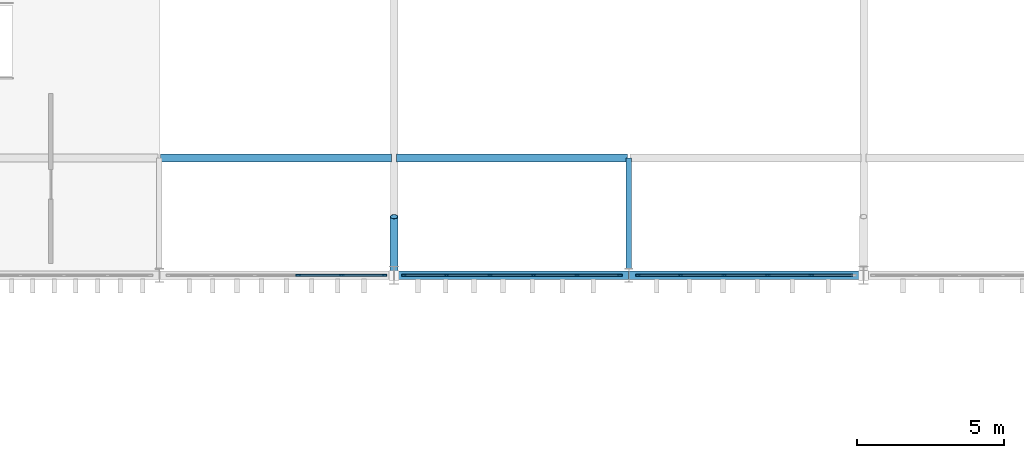
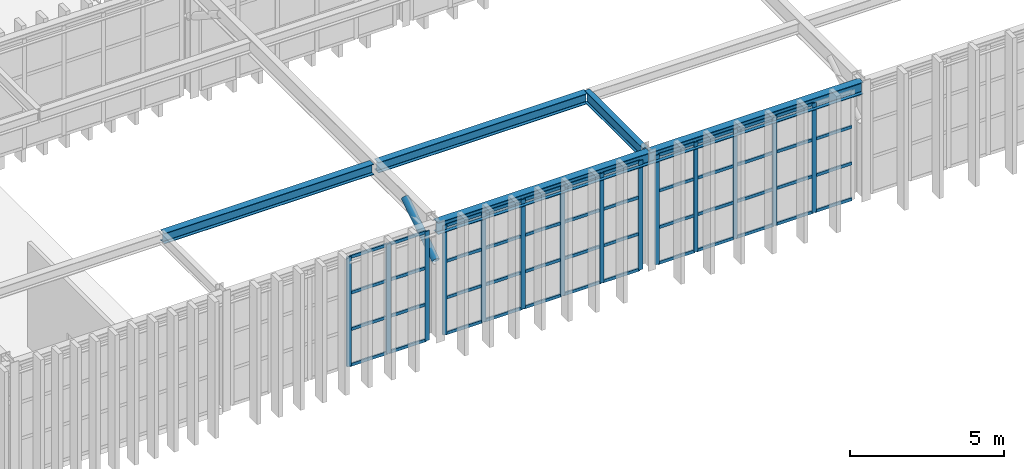
# One storey, part 19 of 61: 62 members, 5 beams, 3 elements without a shape of their own.
"""IFC4 building model written with IfcOpenShell, lengths in metres."""

from ifc_helpers import new_model, si_unit, direction, frame, origin, origin_2d, place, context, subcontext, project, spatial, rectangle, hollow_circle, i_section, extrude, material, material_profile, profile_set, type_object, element, aggregate, save


model = new_model("IFC4")

# Units and contexts
model_context = context("Model", 3, precision=1e-05, world=origin(), true_north=direction((0.0, 1.0)))
body_context = subcontext(model_context, "Body", "Model", "MODEL_VIEW")
ifc_project = project(units=[si_unit("LENGTHUNIT", "METRE"), si_unit("AREAUNIT", "SQUARE_METRE"), si_unit("VOLUMEUNIT", "CUBIC_METRE"), si_unit("PLANEANGLEUNIT", "RADIAN"), si_unit("MASSUNIT", "GRAM", prefix="KILO")], contexts=[model_context])

# Site, building, storey
site_placement = place(None, origin())
site = spatial("IfcSite", under=ifc_project, at=site_placement, CompositionType="ELEMENT")
building_placement = place(site_placement, origin())
building = spatial("IfcBuilding", under=site, at=building_placement, Name="Serraluz Foothill Cableway Terminal", CompositionType="ELEMENT")
storey_placement = place(building_placement, frame((0.0, 0.0, 15.0)))
storey = spatial("IfcBuildingStorey", under=building, at=storey_placement, Name="L03", CompositionType="ELEMENT", Elevation=15.0)

# Curtain wall, members
ifc_material_1 = material(Name="Architectural bronze alloy C28000", Category="aluminium")
curtain_wall_type_1 = type_object("IfcCurtainWallType", Name="TYP-CW-480X420", PredefinedType="NOTDEFINED", material=ifc_material_1)
curtain_wall_1_placement = place(storey_placement, origin())
curtain_wall_1 = element("IfcCurtainWall", 1, at=curtain_wall_1_placement, inside=storey, type_object=curtain_wall_type_1, Name="Ribbed Glazed Curtain Wall CW-V1S-L03-96", PredefinedType="NOTDEFINED")
ifc_material_profile_1 = material_profile(ifc_material_1, rectangle(XDim=0.06005859375, YDim=0.159912109375, at=origin_2d()), Name="ALU MULLION 60x160")
ifc_profile_set_1 = profile_set([ifc_material_profile_1], Name="Architectural bronze alloy C28000")
member_type_1 = type_object("IfcMemberType", Name="TYP-CW-MUL-60X160", PredefinedType="MULLION", material=ifc_profile_set_1)
member_1_placement = place(storey_placement, frame((103.66748046875, 56.0, 0.0), z_axis=(0.0, 0.0, 1.0), x_axis=(0.0, -1.0, 0.0)))
member_1 = element("IfcMember", 2, at=member_1_placement, type_object=member_type_1, Name="CW-15 mullion 1", PredefinedType="MULLION", context=body_context, shape_type="SweptSolid", body=[
    extrude(rectangle(XDim=0.06005859375, YDim=0.159912109375, at=origin_2d()), origin(), (0.0, 0.0, 1.0), 4.35009765625),
])
member_2_placement = place(storey_placement, frame((102.21435546875, 56.0, 0.0), z_axis=(0.0, 0.0, 1.0), x_axis=(0.0, -1.0, 0.0)))
member_2 = element("IfcMember", 3, at=member_2_placement, type_object=member_type_1, Name="CW-15 mullion 2", PredefinedType="MULLION", context=body_context, shape_type="SweptSolid", body=[
    extrude(rectangle(XDim=0.06005859375, YDim=0.159912109375, at=origin_2d()), origin(), (0.0, 0.0, 1.0), 4.35009765625),
])
member_3_placement = place(storey_placement, frame((100.731201171875, 56.0, 0.0), z_axis=(0.0, 0.0, 1.0), x_axis=(0.0, -1.0, 0.0)))
member_3 = element("IfcMember", 4, at=member_3_placement, type_object=member_type_1, Name="CW-15 mullion 3", PredefinedType="MULLION", context=body_context, shape_type="SweptSolid", body=[
    extrude(rectangle(XDim=0.06005859375, YDim=0.159912109375, at=origin_2d()), origin(), (0.0, 0.0, 1.0), 4.35009765625),
])

curtain_wall_type_2 = type_object("IfcCurtainWallType", Name="TYP-CW-440X360", PredefinedType="NOTDEFINED", material=ifc_material_1)
curtain_wall_2_placement = place(storey_placement, origin())
curtain_wall_2 = element("IfcCurtainWall", 5, at=curtain_wall_2_placement, inside=storey, type_object=curtain_wall_type_2, Name="Ribbed Glazed Curtain Wall CW-V1S-L03-104", PredefinedType="NOTDEFINED")
member_4_placement = place(storey_placement, frame((111.6884765625, 56.0, 0.0), z_axis=(0.0, 0.0, 1.0), x_axis=(0.0, -1.0, 0.0)))
member_4 = element("IfcMember", 6, at=member_4_placement, type_object=member_type_1, Name="CW-16 mullion 1", PredefinedType="MULLION", context=body_context, shape_type="SweptSolid", body=[
    extrude(rectangle(XDim=0.06005859375, YDim=0.159912109375, at=origin_2d()), origin(), (0.0, 0.0, 1.0), 4.35009765625),
])
member_5_placement = place(storey_placement, frame((110.2353515625, 56.0, 0.0), z_axis=(0.0, 0.0, 1.0), x_axis=(0.0, -1.0, 0.0)))
member_5 = element("IfcMember", 7, at=member_5_placement, type_object=member_type_1, Name="CW-16 mullion 2", PredefinedType="MULLION", context=body_context, shape_type="SweptSolid", body=[
    extrude(rectangle(XDim=0.06005859375, YDim=0.159912109375, at=origin_2d()), origin(), (0.0, 0.0, 1.0), 4.35009765625),
])
member_6_placement = place(storey_placement, frame((108.752197265625, 56.0, 0.0), z_axis=(0.0, 0.0, 1.0), x_axis=(0.0, -1.0, 0.0)))
member_6 = element("IfcMember", 8, at=member_6_placement, type_object=member_type_1, Name="CW-16 mullion 3", PredefinedType="MULLION", context=body_context, shape_type="SweptSolid", body=[
    extrude(rectangle(XDim=0.06005859375, YDim=0.159912109375, at=origin_2d()), origin(), (0.0, 0.0, 1.0), 4.35009765625),
])
member_7_placement = place(storey_placement, frame((107.268798828125, 56.0, 0.0), z_axis=(0.0, 0.0, 1.0), x_axis=(0.0, -1.0, 0.0)))
member_7 = element("IfcMember", 9, at=member_7_placement, type_object=member_type_1, Name="CW-16 mullion 4", PredefinedType="MULLION", context=body_context, shape_type="SweptSolid", body=[
    extrude(rectangle(XDim=0.06005859375, YDim=0.159912109375, at=origin_2d()), origin(), (0.0, 0.0, 1.0), 4.35009765625),
])
member_8_placement = place(storey_placement, frame((105.78564453125, 56.0, 0.0), z_axis=(0.0, 0.0, 1.0), x_axis=(0.0, -1.0, 0.0)))
member_8 = element("IfcMember", 10, at=member_8_placement, type_object=member_type_1, Name="CW-16 mullion 5", PredefinedType="MULLION", context=body_context, shape_type="SweptSolid", body=[
    extrude(rectangle(XDim=0.06005859375, YDim=0.159912109375, at=origin_2d()), origin(), (0.0, 0.0, 1.0), 4.35009765625),
])
member_9_placement = place(storey_placement, frame((104.33251953125, 56.0, 0.0), z_axis=(0.0, 0.0, 1.0), x_axis=(0.0, -1.0, 0.0)))
member_9 = element("IfcMember", 11, at=member_9_placement, type_object=member_type_1, Name="CW-16 mullion 6", PredefinedType="MULLION", context=body_context, shape_type="SweptSolid", body=[
    extrude(rectangle(XDim=0.06005859375, YDim=0.159912109375, at=origin_2d()), origin(), (0.0, 0.0, 1.0), 4.35009765625),
])

curtain_wall_type_3 = type_object("IfcCurtainWallType", Name="TYP-CW-380X420", PredefinedType="NOTDEFINED", material=ifc_material_1)
curtain_wall_3_placement = place(storey_placement, origin())
curtain_wall_3 = element("IfcCurtainWall", 12, at=curtain_wall_3_placement, inside=storey, type_object=curtain_wall_type_3, Name="Ribbed Glazed Curtain Wall CW-V1S-L03-112", PredefinedType="NOTDEFINED")
member_10_placement = place(storey_placement, frame((118.21435546875, 56.0, 0.0), z_axis=(0.0, 0.0, 1.0), x_axis=(0.0, -1.0, 0.0)))
member_10 = element("IfcMember", 13, at=member_10_placement, type_object=member_type_1, Name="CW-17 mullion 2", PredefinedType="MULLION", context=body_context, shape_type="SweptSolid", body=[
    extrude(rectangle(XDim=0.06005859375, YDim=0.159912109375, at=origin_2d()), origin(), (0.0, 0.0, 1.0), 4.35009765625),
])
member_11_placement = place(storey_placement, frame((116.731201171875, 56.0, 0.0), z_axis=(0.0, 0.0, 1.0), x_axis=(0.0, -1.0, 0.0)))
member_11 = element("IfcMember", 14, at=member_11_placement, type_object=member_type_1, Name="CW-17 mullion 3", PredefinedType="MULLION", context=body_context, shape_type="SweptSolid", body=[
    extrude(rectangle(XDim=0.06005859375, YDim=0.159912109375, at=origin_2d()), origin(), (0.0, 0.0, 1.0), 4.35009765625),
])
member_12_placement = place(storey_placement, frame((115.247802734375, 56.0, 0.0), z_axis=(0.0, 0.0, 1.0), x_axis=(0.0, -1.0, 0.0)))
member_12 = element("IfcMember", 15, at=member_12_placement, type_object=member_type_1, Name="CW-17 mullion 4", PredefinedType="MULLION", context=body_context, shape_type="SweptSolid", body=[
    extrude(rectangle(XDim=0.06005859375, YDim=0.159912109375, at=origin_2d()), origin(), (0.0, 0.0, 1.0), 4.35009765625),
])
member_13_placement = place(storey_placement, frame((113.7646484375, 56.0, 0.0), z_axis=(0.0, 0.0, 1.0), x_axis=(0.0, -1.0, 0.0)))
member_13 = element("IfcMember", 16, at=member_13_placement, type_object=member_type_1, Name="CW-17 mullion 5", PredefinedType="MULLION", context=body_context, shape_type="SweptSolid", body=[
    extrude(rectangle(XDim=0.06005859375, YDim=0.159912109375, at=origin_2d()), origin(), (0.0, 0.0, 1.0), 4.35009765625),
])
member_14_placement = place(storey_placement, frame((112.3115234375, 56.0, 0.0), z_axis=(0.0, 0.0, 1.0), x_axis=(0.0, -1.0, 0.0)))
member_14 = element("IfcMember", 17, at=member_14_placement, type_object=member_type_1, Name="CW-17 mullion 6", PredefinedType="MULLION", context=body_context, shape_type="SweptSolid", body=[
    extrude(rectangle(XDim=0.06005859375, YDim=0.159912109375, at=origin_2d()), origin(), (0.0, 0.0, 1.0), 4.35009765625),
])

# Member
ifc_material_profile_2 = material_profile(ifc_material_1, rectangle(XDim=0.06005859375, YDim=0.1201171875, at=origin_2d()), Name="ALU TRANSOM 60x120")
ifc_profile_set_2 = profile_set([ifc_material_profile_2], Name="Architectural bronze alloy C28000")
member_type_2 = type_object("IfcMemberType", Name="TYP-CW-TRN-60X120", PredefinedType="USERDEFINED", material=ifc_profile_set_2)
member_15_placement = place(storey_placement, frame((103.637451171875, 56.0, 0.030029296875), z_axis=(-1.0, 0.0, 0.0), x_axis=(0.0, -1.0, 0.0)))
member_15 = element("IfcMember", 18, at=member_15_placement, type_object=member_type_2, Name="CW-15 transom 1.1", ObjectType="TRANSOM", PredefinedType="USERDEFINED", context=body_context, shape_type="SweptSolid", body=[
    extrude(rectangle(XDim=0.06005859375, YDim=0.1201171875, at=origin_2d()), origin(), (0.0, 0.0, 1.0), 1.39306640625),
])

member_16_placement = place(storey_placement, frame((103.637451171875, 56.0, 1.449951171875), z_axis=(-1.0, 0.0, 0.0), x_axis=(0.0, -1.0, 0.0)))
member_16 = element("IfcMember", 19, at=member_16_placement, type_object=member_type_2, Name="CW-15 transom 1.2", ObjectType="TRANSOM", PredefinedType="USERDEFINED", context=body_context, shape_type="SweptSolid", body=[
    extrude(rectangle(XDim=0.06005859375, YDim=0.1201171875, at=origin_2d()), origin(), (0.0, 0.0, 1.0), 1.39306640625),
])

member_17_placement = place(storey_placement, frame((103.637451171875, 56.0, 2.89990234375), z_axis=(-1.0, 0.0, 0.0), x_axis=(0.0, -1.0, 0.0)))
member_17 = element("IfcMember", 20, at=member_17_placement, type_object=member_type_2, Name="CW-15 transom 1.3", ObjectType="TRANSOM", PredefinedType="USERDEFINED", context=body_context, shape_type="SweptSolid", body=[
    extrude(rectangle(XDim=0.06005859375, YDim=0.1201171875, at=origin_2d()), origin(), (0.0, 0.0, 1.0), 1.39306640625),
])

member_18_placement = place(storey_placement, frame((103.637451171875, 56.0, 4.320068359375), z_axis=(-1.0, 0.0, 0.0), x_axis=(0.0, -1.0, 0.0)))
member_18 = element("IfcMember", 21, at=member_18_placement, type_object=member_type_2, Name="CW-15 transom 1.4", ObjectType="TRANSOM", PredefinedType="USERDEFINED", context=body_context, shape_type="SweptSolid", body=[
    extrude(rectangle(XDim=0.06005859375, YDim=0.1201171875, at=origin_2d()), origin(), (0.0, 0.0, 1.0), 1.39306640625),
])

member_19_placement = place(storey_placement, frame((102.184326171875, 56.0, 0.030029296875), z_axis=(-1.0, 0.0, 0.0), x_axis=(0.0, -1.0, 0.0)))
member_19 = element("IfcMember", 22, at=member_19_placement, type_object=member_type_2, Name="CW-15 transom 2.1", ObjectType="TRANSOM", PredefinedType="USERDEFINED", context=body_context, shape_type="SweptSolid", body=[
    extrude(rectangle(XDim=0.06005859375, YDim=0.1201171875, at=origin_2d()), origin(), (0.0, 0.0, 1.0), 1.42333984375),
])

member_20_placement = place(storey_placement, frame((102.184326171875, 56.0, 1.449951171875), z_axis=(-1.0, 0.0, 0.0), x_axis=(0.0, -1.0, 0.0)))
member_20 = element("IfcMember", 23, at=member_20_placement, type_object=member_type_2, Name="CW-15 transom 2.2", ObjectType="TRANSOM", PredefinedType="USERDEFINED", context=body_context, shape_type="SweptSolid", body=[
    extrude(rectangle(XDim=0.06005859375, YDim=0.1201171875, at=origin_2d()), origin(), (0.0, 0.0, 1.0), 1.42333984375),
])

member_21_placement = place(storey_placement, frame((102.184326171875, 56.0, 2.89990234375), z_axis=(-1.0, 0.0, 0.0), x_axis=(0.0, -1.0, 0.0)))
member_21 = element("IfcMember", 24, at=member_21_placement, type_object=member_type_2, Name="CW-15 transom 2.3", ObjectType="TRANSOM", PredefinedType="USERDEFINED", context=body_context, shape_type="SweptSolid", body=[
    extrude(rectangle(XDim=0.06005859375, YDim=0.1201171875, at=origin_2d()), origin(), (0.0, 0.0, 1.0), 1.42333984375),
])

member_22_placement = place(storey_placement, frame((102.184326171875, 56.0, 4.320068359375), z_axis=(-1.0, 0.0, 0.0), x_axis=(0.0, -1.0, 0.0)))
member_22 = element("IfcMember", 25, at=member_22_placement, type_object=member_type_2, Name="CW-15 transom 2.4", ObjectType="TRANSOM", PredefinedType="USERDEFINED", context=body_context, shape_type="SweptSolid", body=[
    extrude(rectangle(XDim=0.06005859375, YDim=0.1201171875, at=origin_2d()), origin(), (0.0, 0.0, 1.0), 1.42333984375),
])

aggregate(curtain_wall_1, [member_1, member_2, member_3, member_15, member_16, member_17, member_18, member_19, member_20, member_21, member_22])

member_23_placement = place(storey_placement, frame((111.658447265625, 56.0, 0.030029296875), z_axis=(-1.0, 0.0, 0.0), x_axis=(0.0, -1.0, 0.0)))
member_23 = element("IfcMember", 26, at=member_23_placement, type_object=member_type_2, Name="CW-16 transom 1.1", ObjectType="TRANSOM", PredefinedType="USERDEFINED", context=body_context, shape_type="SweptSolid", body=[
    extrude(rectangle(XDim=0.06005859375, YDim=0.1201171875, at=origin_2d()), origin(), (0.0, 0.0, 1.0), 1.39306640625),
])

member_24_placement = place(storey_placement, frame((111.658447265625, 56.0, 1.449951171875), z_axis=(-1.0, 0.0, 0.0), x_axis=(0.0, -1.0, 0.0)))
member_24 = element("IfcMember", 27, at=member_24_placement, type_object=member_type_2, Name="CW-16 transom 1.2", ObjectType="TRANSOM", PredefinedType="USERDEFINED", context=body_context, shape_type="SweptSolid", body=[
    extrude(rectangle(XDim=0.06005859375, YDim=0.1201171875, at=origin_2d()), origin(), (0.0, 0.0, 1.0), 1.39306640625),
])

member_25_placement = place(storey_placement, frame((111.658447265625, 56.0, 2.89990234375), z_axis=(-1.0, 0.0, 0.0), x_axis=(0.0, -1.0, 0.0)))
member_25 = element("IfcMember", 28, at=member_25_placement, type_object=member_type_2, Name="CW-16 transom 1.3", ObjectType="TRANSOM", PredefinedType="USERDEFINED", context=body_context, shape_type="SweptSolid", body=[
    extrude(rectangle(XDim=0.06005859375, YDim=0.1201171875, at=origin_2d()), origin(), (0.0, 0.0, 1.0), 1.39306640625),
])

member_26_placement = place(storey_placement, frame((111.658447265625, 56.0, 4.320068359375), z_axis=(-1.0, 0.0, 0.0), x_axis=(0.0, -1.0, 0.0)))
member_26 = element("IfcMember", 29, at=member_26_placement, type_object=member_type_2, Name="CW-16 transom 1.4", ObjectType="TRANSOM", PredefinedType="USERDEFINED", context=body_context, shape_type="SweptSolid", body=[
    extrude(rectangle(XDim=0.06005859375, YDim=0.1201171875, at=origin_2d()), origin(), (0.0, 0.0, 1.0), 1.39306640625),
])

member_27_placement = place(storey_placement, frame((110.205322265625, 56.0, 0.030029296875), z_axis=(-1.0, 0.0, 0.0), x_axis=(0.0, -1.0, 0.0)))
member_27 = element("IfcMember", 30, at=member_27_placement, type_object=member_type_2, Name="CW-16 transom 2.1", ObjectType="TRANSOM", PredefinedType="USERDEFINED", context=body_context, shape_type="SweptSolid", body=[
    extrude(rectangle(XDim=0.06005859375, YDim=0.1201171875, at=origin_2d()), origin(), (0.0, 0.0, 1.0), 1.42333984375),
])

member_28_placement = place(storey_placement, frame((110.205322265625, 56.0, 1.449951171875), z_axis=(-1.0, 0.0, 0.0), x_axis=(0.0, -1.0, 0.0)))
member_28 = element("IfcMember", 31, at=member_28_placement, type_object=member_type_2, Name="CW-16 transom 2.2", ObjectType="TRANSOM", PredefinedType="USERDEFINED", context=body_context, shape_type="SweptSolid", body=[
    extrude(rectangle(XDim=0.06005859375, YDim=0.1201171875, at=origin_2d()), origin(), (0.0, 0.0, 1.0), 1.42333984375),
])

member_29_placement = place(storey_placement, frame((110.205322265625, 56.0, 2.89990234375), z_axis=(-1.0, 0.0, 0.0), x_axis=(0.0, -1.0, 0.0)))
member_29 = element("IfcMember", 32, at=member_29_placement, type_object=member_type_2, Name="CW-16 transom 2.3", ObjectType="TRANSOM", PredefinedType="USERDEFINED", context=body_context, shape_type="SweptSolid", body=[
    extrude(rectangle(XDim=0.06005859375, YDim=0.1201171875, at=origin_2d()), origin(), (0.0, 0.0, 1.0), 1.42333984375),
])

member_30_placement = place(storey_placement, frame((110.205322265625, 56.0, 4.320068359375), z_axis=(-1.0, 0.0, 0.0), x_axis=(0.0, -1.0, 0.0)))
member_30 = element("IfcMember", 33, at=member_30_placement, type_object=member_type_2, Name="CW-16 transom 2.4", ObjectType="TRANSOM", PredefinedType="USERDEFINED", context=body_context, shape_type="SweptSolid", body=[
    extrude(rectangle(XDim=0.06005859375, YDim=0.1201171875, at=origin_2d()), origin(), (0.0, 0.0, 1.0), 1.42333984375),
])

member_31_placement = place(storey_placement, frame((108.72216796875, 56.0, 0.030029296875), z_axis=(-1.0, 0.0, 0.0), x_axis=(0.0, -1.0, 0.0)))
member_31 = element("IfcMember", 34, at=member_31_placement, type_object=member_type_2, Name="CW-16 transom 3.1", ObjectType="TRANSOM", PredefinedType="USERDEFINED", context=body_context, shape_type="SweptSolid", body=[
    extrude(rectangle(XDim=0.06005859375, YDim=0.1201171875, at=origin_2d()), origin(), (0.0, 0.0, 1.0), 1.42333984375),
])

member_32_placement = place(storey_placement, frame((108.72216796875, 56.0, 1.449951171875), z_axis=(-1.0, 0.0, 0.0), x_axis=(0.0, -1.0, 0.0)))
member_32 = element("IfcMember", 35, at=member_32_placement, type_object=member_type_2, Name="CW-16 transom 3.2", ObjectType="TRANSOM", PredefinedType="USERDEFINED", context=body_context, shape_type="SweptSolid", body=[
    extrude(rectangle(XDim=0.06005859375, YDim=0.1201171875, at=origin_2d()), origin(), (0.0, 0.0, 1.0), 1.42333984375),
])

member_33_placement = place(storey_placement, frame((108.72216796875, 56.0, 2.89990234375), z_axis=(-1.0, 0.0, 0.0), x_axis=(0.0, -1.0, 0.0)))
member_33 = element("IfcMember", 36, at=member_33_placement, type_object=member_type_2, Name="CW-16 transom 3.3", ObjectType="TRANSOM", PredefinedType="USERDEFINED", context=body_context, shape_type="SweptSolid", body=[
    extrude(rectangle(XDim=0.06005859375, YDim=0.1201171875, at=origin_2d()), origin(), (0.0, 0.0, 1.0), 1.42333984375),
])

member_34_placement = place(storey_placement, frame((108.72216796875, 56.0, 4.320068359375), z_axis=(-1.0, 0.0, 0.0), x_axis=(0.0, -1.0, 0.0)))
member_34 = element("IfcMember", 37, at=member_34_placement, type_object=member_type_2, Name="CW-16 transom 3.4", ObjectType="TRANSOM", PredefinedType="USERDEFINED", context=body_context, shape_type="SweptSolid", body=[
    extrude(rectangle(XDim=0.06005859375, YDim=0.1201171875, at=origin_2d()), origin(), (0.0, 0.0, 1.0), 1.42333984375),
])

member_35_placement = place(storey_placement, frame((107.239013671875, 56.0, 0.030029296875), z_axis=(-1.0, 0.0, 0.0), x_axis=(0.0, -1.0, 0.0)))
member_35 = element("IfcMember", 38, at=member_35_placement, type_object=member_type_2, Name="CW-16 transom 4.1", ObjectType="TRANSOM", PredefinedType="USERDEFINED", context=body_context, shape_type="SweptSolid", body=[
    extrude(rectangle(XDim=0.06005859375, YDim=0.1201171875, at=origin_2d()), origin(), (0.0, 0.0, 1.0), 1.42333984375),
])

member_36_placement = place(storey_placement, frame((107.239013671875, 56.0, 1.449951171875), z_axis=(-1.0, 0.0, 0.0), x_axis=(0.0, -1.0, 0.0)))
member_36 = element("IfcMember", 39, at=member_36_placement, type_object=member_type_2, Name="CW-16 transom 4.2", ObjectType="TRANSOM", PredefinedType="USERDEFINED", context=body_context, shape_type="SweptSolid", body=[
    extrude(rectangle(XDim=0.06005859375, YDim=0.1201171875, at=origin_2d()), origin(), (0.0, 0.0, 1.0), 1.42333984375),
])

member_37_placement = place(storey_placement, frame((107.239013671875, 56.0, 2.89990234375), z_axis=(-1.0, 0.0, 0.0), x_axis=(0.0, -1.0, 0.0)))
member_37 = element("IfcMember", 40, at=member_37_placement, type_object=member_type_2, Name="CW-16 transom 4.3", ObjectType="TRANSOM", PredefinedType="USERDEFINED", context=body_context, shape_type="SweptSolid", body=[
    extrude(rectangle(XDim=0.06005859375, YDim=0.1201171875, at=origin_2d()), origin(), (0.0, 0.0, 1.0), 1.42333984375),
])

member_38_placement = place(storey_placement, frame((107.239013671875, 56.0, 4.320068359375), z_axis=(-1.0, 0.0, 0.0), x_axis=(0.0, -1.0, 0.0)))
member_38 = element("IfcMember", 41, at=member_38_placement, type_object=member_type_2, Name="CW-16 transom 4.4", ObjectType="TRANSOM", PredefinedType="USERDEFINED", context=body_context, shape_type="SweptSolid", body=[
    extrude(rectangle(XDim=0.06005859375, YDim=0.1201171875, at=origin_2d()), origin(), (0.0, 0.0, 1.0), 1.42333984375),
])

member_39_placement = place(storey_placement, frame((105.755615234375, 56.0, 0.030029296875), z_axis=(-1.0, 0.0, 0.0), x_axis=(0.0, -1.0, 0.0)))
member_39 = element("IfcMember", 42, at=member_39_placement, type_object=member_type_2, Name="CW-16 transom 5.1", ObjectType="TRANSOM", PredefinedType="USERDEFINED", context=body_context, shape_type="SweptSolid", body=[
    extrude(rectangle(XDim=0.06005859375, YDim=0.1201171875, at=origin_2d()), origin(), (0.0, 0.0, 1.0), 1.39306640625),
])

member_40_placement = place(storey_placement, frame((105.755615234375, 56.0, 1.449951171875), z_axis=(-1.0, 0.0, 0.0), x_axis=(0.0, -1.0, 0.0)))
member_40 = element("IfcMember", 43, at=member_40_placement, type_object=member_type_2, Name="CW-16 transom 5.2", ObjectType="TRANSOM", PredefinedType="USERDEFINED", context=body_context, shape_type="SweptSolid", body=[
    extrude(rectangle(XDim=0.06005859375, YDim=0.1201171875, at=origin_2d()), origin(), (0.0, 0.0, 1.0), 1.39306640625),
])

member_41_placement = place(storey_placement, frame((105.755615234375, 56.0, 2.89990234375), z_axis=(-1.0, 0.0, 0.0), x_axis=(0.0, -1.0, 0.0)))
member_41 = element("IfcMember", 44, at=member_41_placement, type_object=member_type_2, Name="CW-16 transom 5.3", ObjectType="TRANSOM", PredefinedType="USERDEFINED", context=body_context, shape_type="SweptSolid", body=[
    extrude(rectangle(XDim=0.06005859375, YDim=0.1201171875, at=origin_2d()), origin(), (0.0, 0.0, 1.0), 1.39306640625),
])

member_42_placement = place(storey_placement, frame((105.755615234375, 56.0, 4.320068359375), z_axis=(-1.0, 0.0, 0.0), x_axis=(0.0, -1.0, 0.0)))
member_42 = element("IfcMember", 45, at=member_42_placement, type_object=member_type_2, Name="CW-16 transom 5.4", ObjectType="TRANSOM", PredefinedType="USERDEFINED", context=body_context, shape_type="SweptSolid", body=[
    extrude(rectangle(XDim=0.06005859375, YDim=0.1201171875, at=origin_2d()), origin(), (0.0, 0.0, 1.0), 1.39306640625),
])

aggregate(curtain_wall_2, [member_4, member_5, member_6, member_7, member_8, member_9, member_23, member_24, member_25, member_26, member_27, member_28, member_29, member_30, member_31, member_32, member_33, member_34, member_35, member_36, member_37, member_38, member_39, member_40, member_41, member_42])

member_43_placement = place(storey_placement, frame((119.637451171875, 56.0, 0.030029296875), z_axis=(-1.0, 0.0, 0.0), x_axis=(0.0, -1.0, 0.0)))
member_43 = element("IfcMember", 46, at=member_43_placement, type_object=member_type_2, Name="CW-17 transom 1.1", ObjectType="TRANSOM", PredefinedType="USERDEFINED", context=body_context, shape_type="SweptSolid", body=[
    extrude(rectangle(XDim=0.06005859375, YDim=0.1201171875, at=origin_2d()), origin(), (0.0, 0.0, 1.0), 1.39306640625),
])

member_44_placement = place(storey_placement, frame((119.637451171875, 56.0, 1.449951171875), z_axis=(-1.0, 0.0, 0.0), x_axis=(0.0, -1.0, 0.0)))
member_44 = element("IfcMember", 47, at=member_44_placement, type_object=member_type_2, Name="CW-17 transom 1.2", ObjectType="TRANSOM", PredefinedType="USERDEFINED", context=body_context, shape_type="SweptSolid", body=[
    extrude(rectangle(XDim=0.06005859375, YDim=0.1201171875, at=origin_2d()), origin(), (0.0, 0.0, 1.0), 1.39306640625),
])

member_45_placement = place(storey_placement, frame((119.637451171875, 56.0, 2.89990234375), z_axis=(-1.0, 0.0, 0.0), x_axis=(0.0, -1.0, 0.0)))
member_45 = element("IfcMember", 48, at=member_45_placement, type_object=member_type_2, Name="CW-17 transom 1.3", ObjectType="TRANSOM", PredefinedType="USERDEFINED", context=body_context, shape_type="SweptSolid", body=[
    extrude(rectangle(XDim=0.06005859375, YDim=0.1201171875, at=origin_2d()), origin(), (0.0, 0.0, 1.0), 1.39306640625),
])

member_46_placement = place(storey_placement, frame((118.184326171875, 56.0, 0.030029296875), z_axis=(-1.0, 0.0, 0.0), x_axis=(0.0, -1.0, 0.0)))
member_46 = element("IfcMember", 49, at=member_46_placement, type_object=member_type_2, Name="CW-17 transom 2.1", ObjectType="TRANSOM", PredefinedType="USERDEFINED", context=body_context, shape_type="SweptSolid", body=[
    extrude(rectangle(XDim=0.06005859375, YDim=0.1201171875, at=origin_2d()), origin(), (0.0, 0.0, 1.0), 1.42333984375),
])

member_47_placement = place(storey_placement, frame((118.184326171875, 56.0, 1.449951171875), z_axis=(-1.0, 0.0, 0.0), x_axis=(0.0, -1.0, 0.0)))
member_47 = element("IfcMember", 50, at=member_47_placement, type_object=member_type_2, Name="CW-17 transom 2.2", ObjectType="TRANSOM", PredefinedType="USERDEFINED", context=body_context, shape_type="SweptSolid", body=[
    extrude(rectangle(XDim=0.06005859375, YDim=0.1201171875, at=origin_2d()), origin(), (0.0, 0.0, 1.0), 1.42333984375),
])

member_48_placement = place(storey_placement, frame((118.184326171875, 56.0, 2.89990234375), z_axis=(-1.0, 0.0, 0.0), x_axis=(0.0, -1.0, 0.0)))
member_48 = element("IfcMember", 51, at=member_48_placement, type_object=member_type_2, Name="CW-17 transom 2.3", ObjectType="TRANSOM", PredefinedType="USERDEFINED", context=body_context, shape_type="SweptSolid", body=[
    extrude(rectangle(XDim=0.06005859375, YDim=0.1201171875, at=origin_2d()), origin(), (0.0, 0.0, 1.0), 1.42333984375),
])

member_49_placement = place(storey_placement, frame((118.184326171875, 56.0, 4.320068359375), z_axis=(-1.0, 0.0, 0.0), x_axis=(0.0, -1.0, 0.0)))
member_49 = element("IfcMember", 52, at=member_49_placement, type_object=member_type_2, Name="CW-17 transom 2.4", ObjectType="TRANSOM", PredefinedType="USERDEFINED", context=body_context, shape_type="SweptSolid", body=[
    extrude(rectangle(XDim=0.06005859375, YDim=0.1201171875, at=origin_2d()), origin(), (0.0, 0.0, 1.0), 1.42333984375),
])

member_50_placement = place(storey_placement, frame((116.701171875, 56.0, 0.030029296875), z_axis=(-1.0, 0.0, 0.0), x_axis=(0.0, -1.0, 0.0)))
member_50 = element("IfcMember", 53, at=member_50_placement, type_object=member_type_2, Name="CW-17 transom 3.1", ObjectType="TRANSOM", PredefinedType="USERDEFINED", context=body_context, shape_type="SweptSolid", body=[
    extrude(rectangle(XDim=0.06005859375, YDim=0.1201171875, at=origin_2d()), origin(), (0.0, 0.0, 1.0), 1.42333984375),
])

member_51_placement = place(storey_placement, frame((116.701171875, 56.0, 1.449951171875), z_axis=(-1.0, 0.0, 0.0), x_axis=(0.0, -1.0, 0.0)))
member_51 = element("IfcMember", 54, at=member_51_placement, type_object=member_type_2, Name="CW-17 transom 3.2", ObjectType="TRANSOM", PredefinedType="USERDEFINED", context=body_context, shape_type="SweptSolid", body=[
    extrude(rectangle(XDim=0.06005859375, YDim=0.1201171875, at=origin_2d()), origin(), (0.0, 0.0, 1.0), 1.42333984375),
])

member_52_placement = place(storey_placement, frame((116.701171875, 56.0, 2.89990234375), z_axis=(-1.0, 0.0, 0.0), x_axis=(0.0, -1.0, 0.0)))
member_52 = element("IfcMember", 55, at=member_52_placement, type_object=member_type_2, Name="CW-17 transom 3.3", ObjectType="TRANSOM", PredefinedType="USERDEFINED", context=body_context, shape_type="SweptSolid", body=[
    extrude(rectangle(XDim=0.06005859375, YDim=0.1201171875, at=origin_2d()), origin(), (0.0, 0.0, 1.0), 1.42333984375),
])

member_53_placement = place(storey_placement, frame((116.701171875, 56.0, 4.320068359375), z_axis=(-1.0, 0.0, 0.0), x_axis=(0.0, -1.0, 0.0)))
member_53 = element("IfcMember", 56, at=member_53_placement, type_object=member_type_2, Name="CW-17 transom 3.4", ObjectType="TRANSOM", PredefinedType="USERDEFINED", context=body_context, shape_type="SweptSolid", body=[
    extrude(rectangle(XDim=0.06005859375, YDim=0.1201171875, at=origin_2d()), origin(), (0.0, 0.0, 1.0), 1.42333984375),
])

member_54_placement = place(storey_placement, frame((115.218017578125, 56.0, 0.030029296875), z_axis=(-1.0, 0.0, 0.0), x_axis=(0.0, -1.0, 0.0)))
member_54 = element("IfcMember", 57, at=member_54_placement, type_object=member_type_2, Name="CW-17 transom 4.1", ObjectType="TRANSOM", PredefinedType="USERDEFINED", context=body_context, shape_type="SweptSolid", body=[
    extrude(rectangle(XDim=0.06005859375, YDim=0.1201171875, at=origin_2d()), origin(), (0.0, 0.0, 1.0), 1.42333984375),
])

member_55_placement = place(storey_placement, frame((115.218017578125, 56.0, 1.449951171875), z_axis=(-1.0, 0.0, 0.0), x_axis=(0.0, -1.0, 0.0)))
member_55 = element("IfcMember", 58, at=member_55_placement, type_object=member_type_2, Name="CW-17 transom 4.2", ObjectType="TRANSOM", PredefinedType="USERDEFINED", context=body_context, shape_type="SweptSolid", body=[
    extrude(rectangle(XDim=0.06005859375, YDim=0.1201171875, at=origin_2d()), origin(), (0.0, 0.0, 1.0), 1.42333984375),
])

member_56_placement = place(storey_placement, frame((115.218017578125, 56.0, 2.89990234375), z_axis=(-1.0, 0.0, 0.0), x_axis=(0.0, -1.0, 0.0)))
member_56 = element("IfcMember", 59, at=member_56_placement, type_object=member_type_2, Name="CW-17 transom 4.3", ObjectType="TRANSOM", PredefinedType="USERDEFINED", context=body_context, shape_type="SweptSolid", body=[
    extrude(rectangle(XDim=0.06005859375, YDim=0.1201171875, at=origin_2d()), origin(), (0.0, 0.0, 1.0), 1.42333984375),
])

member_57_placement = place(storey_placement, frame((115.218017578125, 56.0, 4.320068359375), z_axis=(-1.0, 0.0, 0.0), x_axis=(0.0, -1.0, 0.0)))
member_57 = element("IfcMember", 60, at=member_57_placement, type_object=member_type_2, Name="CW-17 transom 4.4", ObjectType="TRANSOM", PredefinedType="USERDEFINED", context=body_context, shape_type="SweptSolid", body=[
    extrude(rectangle(XDim=0.06005859375, YDim=0.1201171875, at=origin_2d()), origin(), (0.0, 0.0, 1.0), 1.42333984375),
])

member_58_placement = place(storey_placement, frame((113.734619140625, 56.0, 0.030029296875), z_axis=(-1.0, 0.0, 0.0), x_axis=(0.0, -1.0, 0.0)))
member_58 = element("IfcMember", 61, at=member_58_placement, type_object=member_type_2, Name="CW-17 transom 5.1", ObjectType="TRANSOM", PredefinedType="USERDEFINED", context=body_context, shape_type="SweptSolid", body=[
    extrude(rectangle(XDim=0.06005859375, YDim=0.1201171875, at=origin_2d()), origin(), (0.0, 0.0, 1.0), 1.39306640625),
])

member_59_placement = place(storey_placement, frame((113.734619140625, 56.0, 1.449951171875), z_axis=(-1.0, 0.0, 0.0), x_axis=(0.0, -1.0, 0.0)))
member_59 = element("IfcMember", 62, at=member_59_placement, type_object=member_type_2, Name="CW-17 transom 5.2", ObjectType="TRANSOM", PredefinedType="USERDEFINED", context=body_context, shape_type="SweptSolid", body=[
    extrude(rectangle(XDim=0.06005859375, YDim=0.1201171875, at=origin_2d()), origin(), (0.0, 0.0, 1.0), 1.39306640625),
])

member_60_placement = place(storey_placement, frame((113.734619140625, 56.0, 2.89990234375), z_axis=(-1.0, 0.0, 0.0), x_axis=(0.0, -1.0, 0.0)))
member_60 = element("IfcMember", 63, at=member_60_placement, type_object=member_type_2, Name="CW-17 transom 5.3", ObjectType="TRANSOM", PredefinedType="USERDEFINED", context=body_context, shape_type="SweptSolid", body=[
    extrude(rectangle(XDim=0.06005859375, YDim=0.1201171875, at=origin_2d()), origin(), (0.0, 0.0, 1.0), 1.39306640625),
])

member_61_placement = place(storey_placement, frame((113.734619140625, 56.0, 4.320068359375), z_axis=(-1.0, 0.0, 0.0), x_axis=(0.0, -1.0, 0.0)))
member_61 = element("IfcMember", 64, at=member_61_placement, type_object=member_type_2, Name="CW-17 transom 5.4", ObjectType="TRANSOM", PredefinedType="USERDEFINED", context=body_context, shape_type="SweptSolid", body=[
    extrude(rectangle(XDim=0.06005859375, YDim=0.1201171875, at=origin_2d()), origin(), (0.0, 0.0, 1.0), 1.39306640625),
])

aggregate(curtain_wall_3, [member_10, member_11, member_12, member_13, member_14, member_43, member_44, member_45, member_46, member_47, member_48, member_49, member_50, member_51, member_52, member_53, member_54, member_55, member_56, member_57, member_58, member_59, member_60, member_61])

# Beams
ifc_material_2 = material(Name="Steel ASTM A992 Grade 50", Category="steel")
ifc_material_profile_3 = material_profile(ifc_material_2, i_section(OverallWidth=0.260009765625, OverallDepth=0.4189453125, WebThickness=0.01171875, FlangeThickness=0.019287109375, FilletRadius=0.013916015625, at=origin_2d()), Name="W16X77")
ifc_profile_set_3 = profile_set([ifc_material_profile_3], Name="Steel ASTM A992 Grade 50")
beam_type_1 = type_object("IfcBeamType", Name="TYP-JS-W16X77", PredefinedType="JOIST", material=ifc_profile_set_3)
for number, where, z_axis, x_axis, name in (
    (65, (96.0400390625, 60.0, 4.35009765625), (1.0, 0.0, 0.0), (0.0, 1.0, 0.0), "Eaves Gallery Support Beam 96-60"),
    (66, (104.0849609375, 60.0, 4.35009765625), (1.0, 0.0, 0.0), (0.0, 1.0, 0.0), "Eaves Gallery Support Beam 104-60"),
):
    element("IfcBeam", number, at=place(storey_placement, frame(where, z_axis=z_axis, x_axis=x_axis)), inside=storey, type_object=beam_type_1, Name=name, PredefinedType="JOIST", context=body_context, shape_type="SweptSolid", body=[
        extrude(i_section(OverallWidth=0.260009765625, OverallDepth=0.4189453125, WebThickness=0.01171875, FlangeThickness=0.019287109375, FilletRadius=0.013916015625, at=origin_2d()), origin(), (0.0, 0.0, 1.0), 7.875),
    ])
ifc_material_profile_4 = material_profile(ifc_material_2, i_section(OverallWidth=0.193115234375, OverallDepth=0.467041015625, WebThickness=0.011474609375, FlangeThickness=0.01904296875, FilletRadius=0.014892578125, at=origin_2d()), Name="W18X65")
ifc_profile_set_4 = profile_set([ifc_material_profile_4], Name="Steel ASTM A992 Grade 50")
beam_type_2 = type_object("IfcBeamType", Name="TYP-JS-W18X65", PredefinedType="JOIST", material=ifc_profile_set_4)
beam_placement = place(storey_placement, frame((112.0, 56.199951171875, 4.3798828125), z_axis=(0.0, 1.0, 0.0), x_axis=(-1.0, 0.0, 0.0)))
element("IfcBeam", 67, at=beam_placement, inside=storey, type_object=beam_type_2, Name="Eaves Gallery Bracket Tie 112-56", PredefinedType="JOIST", context=body_context, shape_type="SweptSolid", body=[
    extrude(i_section(OverallWidth=0.193115234375, OverallDepth=0.467041015625, WebThickness=0.011474609375, FlangeThickness=0.01904296875, FilletRadius=0.014892578125, at=origin_2d()), origin(), (0.0, 0.0, 1.0), 3.800048828125),
])
ifc_material_profile_5 = material_profile(ifc_material_2, i_section(OverallWidth=0.282958984375, OverallDepth=0.471923828125, WebThickness=0.013671875, FlangeThickness=0.022216796875, FilletRadius=0.014892578125, at=origin_2d()), Name="W18X97")
ifc_profile_set_5 = profile_set([ifc_material_profile_5], Name="Steel ASTM A992 Grade 50")
beam_type_3 = type_object("IfcBeamType", Name="TYP-SP-W18X97", PredefinedType="SPANDREL", material=ifc_profile_set_5)
for number, where, z_axis, x_axis, name in (
    (68, (104.0048828125, 56.0, 4.384033203125), (1.0, 0.0, 0.0), (0.0, 1.0, 0.0), "Primary Girder BM-X-L03-0356"),
    (69, (112.0048828125, 56.0, 4.384033203125), (1.0, 0.0, 0.0), (0.0, 1.0, 0.0), "Primary Girder BM-X-L03-0357"),
):
    element("IfcBeam", number, at=place(storey_placement, frame(where, z_axis=z_axis, x_axis=x_axis)), inside=storey, type_object=beam_type_3, Name=name, PredefinedType="SPANDREL", context=body_context, shape_type="SweptSolid", body=[
        extrude(i_section(OverallWidth=0.282958984375, OverallDepth=0.471923828125, WebThickness=0.013671875, FlangeThickness=0.022216796875, FilletRadius=0.014892578125, at=origin_2d()), origin(), (0.0, 0.0, 1.0), 7.990234375),
    ])

# Member
ifc_material_3 = material(Name="Steel ASTM A572 Grade 50", Category="steel")
ifc_material_profile_6 = material_profile(ifc_material_3, hollow_circle(Radius=0.136474609375, WallThickness=0.011962890625, at=origin_2d()), Name="CHS273X12")
ifc_profile_set_6 = profile_set([ifc_material_profile_6], Name="Steel ASTM A572 Grade 50")
member_type_3 = type_object("IfcMemberType", Name="TYP-ST-CHS273", PredefinedType="STRUT", material=ifc_profile_set_6)
member_62_placement = place(storey_placement, frame((104.0, 56.0, 3.050048828125), z_axis=(0.0, 0.838434262763, 0.545002740383), x_axis=(-1.0, 0.0, 0.0)))
element("IfcMember", 70, at=member_62_placement, inside=storey, type_object=member_type_3, Name="Portal Knee Strut STRUT-TR-05-S", PredefinedType="STRUT", context=body_context, shape_type="SweptSolid", body=[
    extrude(hollow_circle(Radius=0.136474609375, WallThickness=0.011962890625, at=origin_2d()), origin(), (0.0, 0.0, 1.0), 2.385498046875),
])

save(model, "model.ifc")
